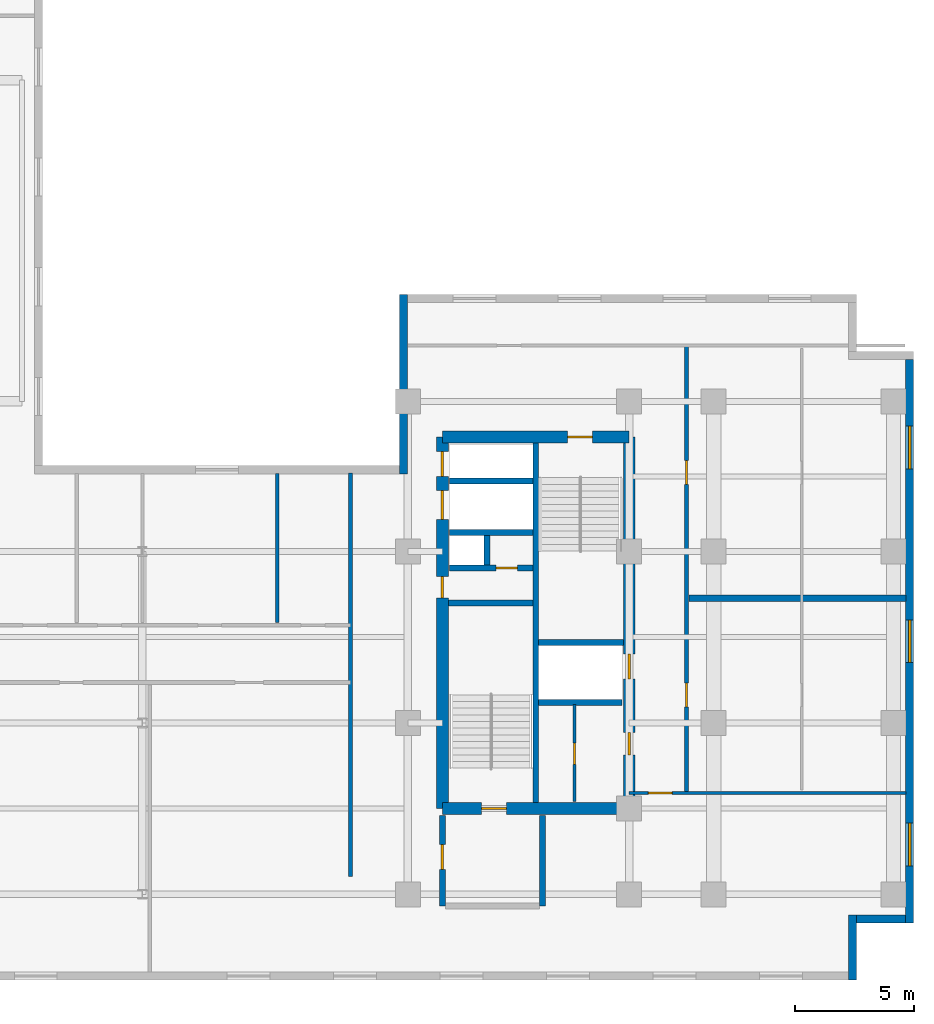
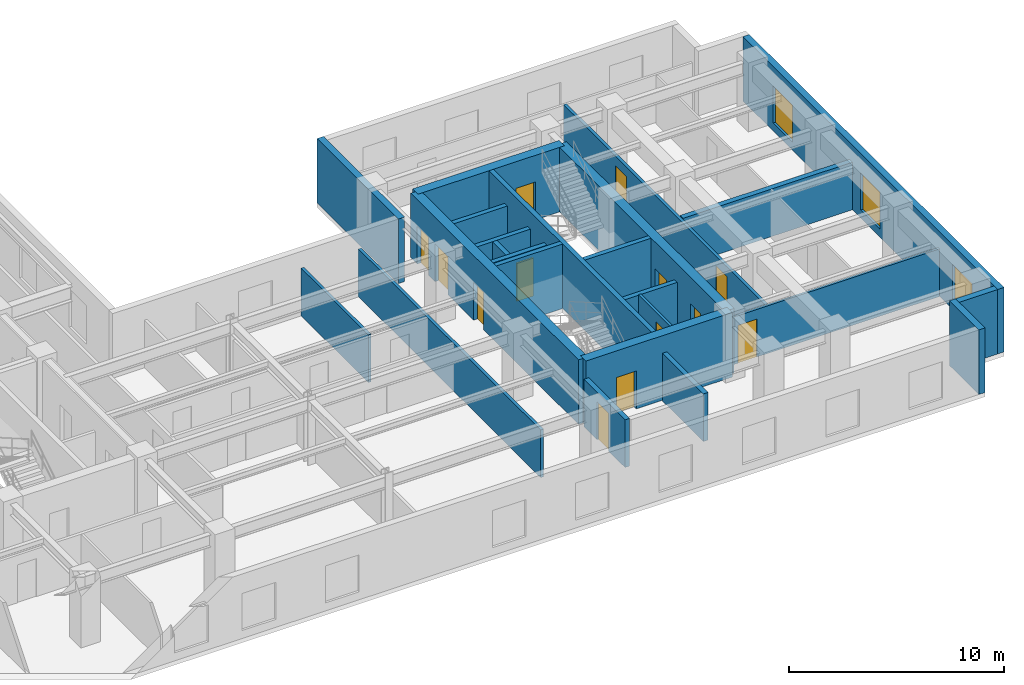
# One storey, part 5 of 10: 24 walls, 13 doors, 3 windows, 16 openings.
"""IFC4 building model written with IfcOpenShell, lengths in metres."""

from ifc_helpers import new_model, entity, si_unit, converted_unit, direction, frame, origin_with_axes, origin_2d_with_axis, place, context, subcontext, project, spatial, polyline, rectangle, outline, extrude, material, layer, layer_set, type_object, element, fill, save


model = new_model("IFC4")

# Units and contexts
model_context = context("Model", 3, precision=1e-05, world=origin_with_axes(), true_north=direction((0.0, 1.0)))
body_context = subcontext(model_context, "Body", "Model", "MODEL_VIEW")
ifc_project = project(units=[si_unit("LENGTHUNIT", "METRE"), si_unit("AREAUNIT", "SQUARE_METRE"), si_unit("VOLUMEUNIT", "CUBIC_METRE"), converted_unit("PLANEANGLEUNIT", "DEGREE", entity("IfcPlaneAngleMeasure", 0.017453292519943295), si_unit("PLANEANGLEUNIT", "RADIAN"), dimensions=[0, 0, 0, 0, 0, 0, 0]), si_unit("MASSUNIT", "GRAM", prefix="KILO"), si_unit("THERMODYNAMICTEMPERATUREUNIT", "KELVIN")], contexts=[model_context])

# Site, building, storey
site_placement = place(None, origin_with_axes())
site = spatial("IfcSite", under=ifc_project, at=site_placement, CompositionType="ELEMENT")
building_placement = place(site_placement, origin_with_axes())
building = spatial("IfcBuilding", under=site, at=building_placement, Name="Varnlund Millrace Tower", CompositionType="ELEMENT")
storey_placement = place(building_placement, frame((0.0, 0.0, 160.2), z_axis=(0.0, 0.0, 1.0), x_axis=(1.0, 0.0, 0.0)))
storey = spatial("IfcBuildingStorey", under=building, at=storey_placement, Name="L39", CompositionType="ELEMENT", Elevation=160.2)

# Wall, openings, doors
ifc_material_1 = material(Name="Concrete C70/85", Category="concrete")
ifc_layer_1 = layer(ifc_material_1, 0.5, Name="Concrete C70/85")
ifc_layer_set_1 = layer_set([ifc_layer_1], Name="Concrete C70/85")
wall_type_1 = type_object("IfcWallType", Name="Type-CoreWall-Shear-500-C70", PredefinedType="SHEAR", material=ifc_layer_set_1)
wall_1_placement = place(storey_placement, frame((40.2, 7.2, 0.0), z_axis=(0.0, 0.0, 1.0), x_axis=(0.0, 1.0, 0.0)))
wall_1 = element("IfcWall", 1, at=wall_1_placement, inside=storey, type_object=wall_type_1, Name="Type-CoreWall-Shear-500-C70", PredefinedType="SHEAR", context=body_context, shape_type="SweptSolid", body=[
    extrude(outline(polyline([(0.0, -0.25), (15.6, -0.25), (15.6, 0.25), (0.0, 0.25), (0.0, -0.25)])), origin_with_axes(), (0.0, 0.0, 1.0), 3.66),
])
opening_1_placement = place(wall_1_placement, frame((14.475, 0.0, 0.0), z_axis=(0.0, 0.0, 1.0), x_axis=(1.0, 0.0, 0.0)))
opening_1 = element("IfcOpeningElement", 2, at=opening_1_placement, cuts=wall_1, Name="Opening L39:LD-ELV-M4", PredefinedType="OPENING", context=body_context, shape_type="SweptSolid", body=[
    extrude(rectangle(XDim=1.05, YDim=0.52, at=origin_2d_with_axis()), origin_with_axes(), (0.0, 0.0, 1.0), 2.15),
])
opening_2_placement = place(wall_1_placement, frame((12.75, 0.0, 0.0), z_axis=(0.0, 0.0, 1.0), x_axis=(1.0, 0.0, 0.0)))
opening_2 = element("IfcOpeningElement", 3, at=opening_2_placement, cuts=wall_1, Name="Opening L39:LD-SRV2", PredefinedType="OPENING", context=body_context, shape_type="SweptSolid", body=[
    extrude(rectangle(XDim=1.2, YDim=0.52, at=origin_2d_with_axis()), origin_with_axes(), (0.0, 0.0, 1.0), 2.15),
])
opening_3_placement = place(wall_1_placement, frame((9.3, 0.0, 0.0), z_axis=(0.0, 0.0, 1.0), x_axis=(1.0, 0.0, 0.0)))
opening_3 = element("IfcOpeningElement", 4, at=opening_3_placement, cuts=wall_1, Name="Opening L39:DR-CB-JAN", PredefinedType="OPENING", context=body_context, shape_type="SweptSolid", body=[
    extrude(rectangle(XDim=0.9, YDim=0.52, at=origin_2d_with_axis()), origin_with_axes(), (0.0, 0.0, 1.0), 2.15),
])
ifc_material_2 = material(Name="Fire-rated hollow steel service closet door", Category="steel")
door_type_1 = type_object("IfcDoorType", Name="Type-FireDoor-Closet-900X2150", OperationType="NOTDEFINED", PredefinedType="DOOR", material=ifc_material_2)
door_1_placement = place(wall_1_placement, frame((9.3, 0.0, 0.0), z_axis=(0.0, 0.0, 1.0), x_axis=(1.0, 0.0, 0.0)))
door_1 = element("IfcDoor", 5, at=door_1_placement, inside=storey, type_object=door_type_1, Name="Type-FireDoor-Closet-900X2150", OperationType="SINGLE_SWING_RIGHT", OverallHeight=2.15, OverallWidth=0.9, PredefinedType="DOOR", context=body_context, shape_type="SweptSolid", body=[
    extrude(rectangle(XDim=0.9, YDim=0.09, at=origin_2d_with_axis()), origin_with_axes(), (0.0, 0.0, 1.0), 2.15),
])
fill(opening_3, door_1)
ifc_material_3 = material(Name="Architectural bronze sliding landing door")
door_type_2 = type_object("IfcDoorType", Name="Type-LiftLandingDoor-Compact-1050X2150", OperationType="NOTDEFINED", PredefinedType="DOOR", material=ifc_material_3)
door_2_placement = place(wall_1_placement, frame((14.475, 0.0, 0.0), z_axis=(0.0, 0.0, 1.0), x_axis=(1.0, 0.0, 0.0)))
door_2 = element("IfcDoor", 6, at=door_2_placement, inside=storey, type_object=door_type_2, Name="Type-LiftLandingDoor-Compact-1050X2150", OperationType="SLIDING_TO_RIGHT", OverallHeight=2.15, OverallWidth=1.05, PredefinedType="DOOR", context=body_context, shape_type="SweptSolid", body=[
    extrude(rectangle(XDim=1.05, YDim=0.09, at=origin_2d_with_axis()), origin_with_axes(), (0.0, 0.0, 1.0), 2.15),
])
fill(opening_1, door_2)
ifc_material_4 = material(Name="Heavy-duty freight sliding landing door")
door_type_3 = type_object("IfcDoorType", Name="Type-LiftLandingDoor-Service-1200X2150", OperationType="NOTDEFINED", PredefinedType="DOOR", material=ifc_material_4)
door_3_placement = place(wall_1_placement, frame((12.75, 0.0, 0.0), z_axis=(0.0, 0.0, 1.0), x_axis=(1.0, 0.0, 0.0)))
door_3 = element("IfcDoor", 7, at=door_3_placement, inside=storey, type_object=door_type_3, Name="Type-LiftLandingDoor-Service-1200X2150", OperationType="DOUBLE_DOOR_SLIDING", OverallHeight=2.15, OverallWidth=1.2, PredefinedType="DOOR", context=body_context, shape_type="SweptSolid", body=[
    extrude(rectangle(XDim=1.2, YDim=0.09, at=origin_2d_with_axis()), origin_with_axes(), (0.0, 0.0, 1.0), 2.15),
])
fill(opening_2, door_3)

# Wall, opening, door
wall_2_placement = place(storey_placement, frame((40.2, 7.2, 0.0), z_axis=(0.0, 0.0, 1.0), x_axis=(1.0, 0.0, 0.0)))
wall_2 = element("IfcWall", 8, at=wall_2_placement, inside=storey, type_object=wall_type_1, Name="Type-CoreWall-Shear-500-C70", PredefinedType="SHEAR", context=body_context, shape_type="SweptSolid", body=[
    extrude(outline(polyline([(0.0, -0.25), (7.85, -0.25), (7.85, 0.25), (0.0, 0.25), (0.0, -0.25)])), origin_with_axes(), (0.0, 0.0, 1.0), 3.66),
])
opening_4_placement = place(wall_2_placement, frame((2.175, 0.0, 0.0), z_axis=(0.0, 0.0, 1.0), x_axis=(1.0, 0.0, 0.0)))
opening_4 = element("IfcOpeningElement", 9, at=opening_4_placement, cuts=wall_2, Name="Opening L39:DR-STB1", PredefinedType="OPENING", context=body_context, shape_type="SweptSolid", body=[
    extrude(rectangle(XDim=1.05, YDim=0.52, at=origin_2d_with_axis()), origin_with_axes(), (0.0, 0.0, 1.0), 2.15),
])
ifc_material_5 = material(Name="Fire-rated hollow steel door", Category="steel")
door_type_4 = type_object("IfcDoorType", Name="Type-FireDoor-Stair-1050X2150", OperationType="NOTDEFINED", PredefinedType="DOOR", material=ifc_material_5)
door_4_placement = place(wall_2_placement, frame((2.175, 0.0, 0.0), z_axis=(0.0, 0.0, 1.0), x_axis=(1.0, 0.0, 0.0)))
door_4 = element("IfcDoor", 10, at=door_4_placement, inside=storey, type_object=door_type_4, Name="Type-FireDoor-Stair-1050X2150", OperationType="SINGLE_SWING_LEFT", OverallHeight=2.15, OverallWidth=1.05, PredefinedType="DOOR", context=body_context, shape_type="SweptSolid", body=[
    extrude(rectangle(XDim=1.05, YDim=0.09, at=origin_2d_with_axis()), origin_with_axes(), (0.0, 0.0, 1.0), 2.15),
])
fill(opening_4, door_4)

wall_3_placement = place(storey_placement, frame((40.2, 22.8, 0.0), z_axis=(0.0, 0.0, 1.0), x_axis=(1.0, 0.0, 0.0)))
wall_3 = element("IfcWall", 11, at=wall_3_placement, inside=storey, type_object=wall_type_1, Name="Type-CoreWall-Shear-500-C70", PredefinedType="SHEAR", context=body_context, shape_type="SweptSolid", body=[
    extrude(outline(polyline([(0.0, -0.25), (7.85, -0.25), (7.85, 0.25), (0.0, 0.25), (0.0, -0.25)])), origin_with_axes(), (0.0, 0.0, 1.0), 3.66),
])
opening_5_placement = place(wall_3_placement, frame((5.775, 0.0, 0.0), z_axis=(0.0, 0.0, 1.0), x_axis=(1.0, 0.0, 0.0)))
opening_5 = element("IfcOpeningElement", 12, at=opening_5_placement, cuts=wall_3, Name="Opening L39:DR-STB2", PredefinedType="OPENING", context=body_context, shape_type="SweptSolid", body=[
    extrude(rectangle(XDim=1.05, YDim=0.52, at=origin_2d_with_axis()), origin_with_axes(), (0.0, 0.0, 1.0), 2.15),
])
door_5_placement = place(wall_3_placement, frame((5.775, 0.0, 0.0), z_axis=(0.0, 0.0, 1.0), x_axis=(1.0, 0.0, 0.0)))
door_5 = element("IfcDoor", 13, at=door_5_placement, inside=storey, type_object=door_type_4, Name="Type-FireDoor-Stair-1050X2150", OperationType="SINGLE_SWING_RIGHT", OverallHeight=2.15, OverallWidth=1.05, PredefinedType="DOOR", context=body_context, shape_type="SweptSolid", body=[
    extrude(rectangle(XDim=1.05, YDim=0.09, at=origin_2d_with_axis()), origin_with_axes(), (0.0, 0.0, 1.0), 2.15),
])
fill(opening_5, door_5)

# Wall, openings, doors
wall_4_placement = place(storey_placement, frame((48.05, 7.2, 0.0), z_axis=(0.0, 0.0, 1.0), x_axis=(0.0, 1.0, 0.0)))
wall_4 = element("IfcWall", 14, at=wall_4_placement, inside=storey, type_object=wall_type_1, Name="Type-CoreWall-Shear-500-C70", PredefinedType="SHEAR", context=body_context, shape_type="SweptSolid", body=[
    extrude(outline(polyline([(0.0, -0.25), (15.6, -0.25), (15.6, 0.25), (0.0, 0.25), (0.0, -0.25)])), origin_with_axes(), (0.0, 0.0, 1.0), 3.66),
])
opening_6_placement = place(wall_4_placement, frame((5.975, 0.0, 0.0), z_axis=(0.0, 0.0, 1.0), x_axis=(1.0, 0.0, 0.0)))
opening_6 = element("IfcOpeningElement", 15, at=opening_6_placement, cuts=wall_4, Name="Opening L39:LD-ELV-M3", PredefinedType="OPENING", context=body_context, shape_type="SweptSolid", body=[
    extrude(rectangle(XDim=1.05, YDim=0.52, at=origin_2d_with_axis()), origin_with_axes(), (0.0, 0.0, 1.0), 2.15),
])
opening_7_placement = place(wall_4_placement, frame((2.725, 0.0, 0.0), z_axis=(0.0, 0.0, 1.0), x_axis=(1.0, 0.0, 0.0)))
opening_7 = element("IfcOpeningElement", 16, at=opening_7_placement, cuts=wall_4, Name="Opening L39:DR-CB-WC2", PredefinedType="OPENING", context=body_context, shape_type="SweptSolid", body=[
    extrude(rectangle(XDim=0.95, YDim=0.52, at=origin_2d_with_axis()), origin_with_axes(), (0.0, 0.0, 1.0), 2.15),
])
ifc_material_6 = material(Name="Fire-rated hollow steel core service door", Category="steel")
door_type_5 = type_object("IfcDoorType", Name="Type-FireDoor-Service-950X2150", OperationType="NOTDEFINED", PredefinedType="DOOR", material=ifc_material_6)
door_6_placement = place(wall_4_placement, frame((2.725, 0.0, 0.0), z_axis=(0.0, 0.0, 1.0), x_axis=(1.0, 0.0, 0.0)))
door_6 = element("IfcDoor", 17, at=door_6_placement, inside=storey, type_object=door_type_5, Name="Type-FireDoor-Service-950X2150", OperationType="SINGLE_SWING_LEFT", OverallHeight=2.15, OverallWidth=0.95, PredefinedType="DOOR", context=body_context, shape_type="SweptSolid", body=[
    extrude(rectangle(XDim=0.95, YDim=0.09, at=origin_2d_with_axis()), origin_with_axes(), (0.0, 0.0, 1.0), 2.15),
])
fill(opening_7, door_6)
door_7_placement = place(wall_4_placement, frame((5.975, 0.0, 0.0), z_axis=(0.0, 0.0, 1.0), x_axis=(1.0, 0.0, 0.0)))
door_7 = element("IfcDoor", 18, at=door_7_placement, inside=storey, type_object=door_type_2, Name="Type-LiftLandingDoor-Compact-1050X2150", OperationType="SLIDING_TO_LEFT", OverallHeight=2.15, OverallWidth=1.05, PredefinedType="DOOR", context=body_context, shape_type="SweptSolid", body=[
    extrude(rectangle(XDim=1.05, YDim=0.09, at=origin_2d_with_axis()), origin_with_axes(), (0.0, 0.0, 1.0), 2.15),
])
fill(opening_6, door_7)

# Wall
ifc_material_7 = material(Name="Precast concrete C50/60", Category="concrete")
ifc_layer_2 = layer(ifc_material_7, 0.34, Name="Precast concrete C50/60")
ifc_layer_set_2 = layer_set([ifc_layer_2], Name="Precast concrete C50/60")
wall_type_2 = type_object("IfcWallType", Name="Type-ExtWall-Precast-Upper-340", PredefinedType="SOLIDWALL", material=ifc_layer_set_2)
wall_5_placement = place(storey_placement, frame((38.57, 21.26, 0.0), z_axis=(0.0, 0.0, 1.0), x_axis=(0.0, 1.0, 0.0)))
element("IfcWall", 19, at=wall_5_placement, inside=storey, type_object=wall_type_2, Name="Type-ExtWall-Precast-Upper-340", PredefinedType="SOLIDWALL", context=body_context, shape_type="SweptSolid", body=[
    extrude(outline(polyline([(0.0, -0.17), (7.54, -0.17), (7.54, 0.17), (0.0, 0.17), (0.0, -0.17)])), origin_with_axes(), (0.0, 0.0, 1.0), 3.66),
])

# Wall, openings, windows
wall_6_placement = place(storey_placement, frame((59.83, 26.06, 0.0), z_axis=(0.0, 0.0, 1.0), x_axis=(0.0, -1.0, 0.0)))
wall_6 = element("IfcWall", 20, at=wall_6_placement, inside=storey, type_object=wall_type_2, Name="Type-ExtWall-Precast-Upper-340", PredefinedType="SOLIDWALL", context=body_context, shape_type="SweptSolid", body=[
    extrude(outline(polyline([(0.0, -0.17), (23.66, -0.17), (23.66, 0.17), (0.0, 0.17), (0.0, -0.17)])), origin_with_axes(), (0.0, 0.0, 1.0), 3.66),
])
opening_8_placement = place(wall_6_placement, frame((3.696, 0.0, 0.45), z_axis=(0.0, 0.0, 1.0), x_axis=(1.0, 0.0, 0.0)))
opening_8 = element("IfcOpeningElement", 21, at=opening_8_placement, cuts=wall_6, Name="Opening L39:WN-05", PredefinedType="OPENING", context=body_context, shape_type="SweptSolid", body=[
    extrude(rectangle(XDim=1.8, YDim=0.36, at=origin_2d_with_axis()), origin_with_axes(), (0.0, 0.0, 1.0), 2.1),
])
opening_9_placement = place(wall_6_placement, frame((11.83, 0.0, 0.45), z_axis=(0.0, 0.0, 1.0), x_axis=(1.0, 0.0, 0.0)))
opening_9 = element("IfcOpeningElement", 22, at=opening_9_placement, cuts=wall_6, Name="Opening L39:WN-06", PredefinedType="OPENING", context=body_context, shape_type="SweptSolid", body=[
    extrude(rectangle(XDim=1.8, YDim=0.36, at=origin_2d_with_axis()), origin_with_axes(), (0.0, 0.0, 1.0), 2.1),
])
opening_10_placement = place(wall_6_placement, frame((20.364, 0.0, 0.45), z_axis=(0.0, 0.0, 1.0), x_axis=(1.0, 0.0, 0.0)))
opening_10 = element("IfcOpeningElement", 23, at=opening_10_placement, cuts=wall_6, Name="Opening L39:WN-07", PredefinedType="OPENING", context=body_context, shape_type="SweptSolid", body=[
    extrude(rectangle(XDim=1.8, YDim=0.36, at=origin_2d_with_axis()), origin_with_axes(), (0.0, 0.0, 1.0), 2.1),
])
ifc_material_8 = material(Name="Argon low-e triple glazing in thermally broken bronze frame", Category="glass")
window_type = type_object("IfcWindowType", Name="Type-Window-Punched-1800X2100", PartitioningType="SINGLE_PANEL", PredefinedType="WINDOW", material=ifc_material_8)
window_1_placement = place(wall_6_placement, frame((3.696, 0.0, 0.45), z_axis=(0.0, 0.0, 1.0), x_axis=(1.0, 0.0, 0.0)))
window_1 = element("IfcWindow", 24, at=window_1_placement, inside=storey, type_object=window_type, Name="Type-Window-Punched-1800X2100", OverallHeight=2.1, OverallWidth=1.8, PredefinedType="WINDOW", context=body_context, shape_type="SweptSolid", body=[
    extrude(rectangle(XDim=1.8, YDim=0.09, at=origin_2d_with_axis()), origin_with_axes(), (0.0, 0.0, 1.0), 2.1),
])
fill(opening_8, window_1)
window_2_placement = place(wall_6_placement, frame((11.83, 0.0, 0.45), z_axis=(0.0, 0.0, 1.0), x_axis=(1.0, 0.0, 0.0)))
window_2 = element("IfcWindow", 25, at=window_2_placement, inside=storey, type_object=window_type, Name="Type-Window-Punched-1800X2100", OverallHeight=2.1, OverallWidth=1.8, PredefinedType="WINDOW", context=body_context, shape_type="SweptSolid", body=[
    extrude(rectangle(XDim=1.8, YDim=0.09, at=origin_2d_with_axis()), origin_with_axes(), (0.0, 0.0, 1.0), 2.1),
])
fill(opening_9, window_2)
window_3_placement = place(wall_6_placement, frame((20.364, 0.0, 0.45), z_axis=(0.0, 0.0, 1.0), x_axis=(1.0, 0.0, 0.0)))
window_3 = element("IfcWindow", 26, at=window_3_placement, inside=storey, type_object=window_type, Name="Type-Window-Punched-1800X2100", OverallHeight=2.1, OverallWidth=1.8, PredefinedType="WINDOW", context=body_context, shape_type="SweptSolid", body=[
    extrude(rectangle(XDim=1.8, YDim=0.09, at=origin_2d_with_axis()), origin_with_axes(), (0.0, 0.0, 1.0), 2.1),
])
fill(opening_10, window_3)

# Walls
wall_7_placement = place(storey_placement, frame((59.66, 2.57, 0.0), z_axis=(0.0, 0.0, 1.0), x_axis=(-1.0, 0.0, 0.0)))
element("IfcWall", 27, at=wall_7_placement, inside=storey, type_object=wall_type_2, Name="Type-ExtWall-Precast-Upper-340", PredefinedType="SOLIDWALL", context=body_context, shape_type="SweptSolid", body=[
    extrude(outline(polyline([(0.0, -0.17), (2.06, -0.17), (2.06, 0.17), (0.0, 0.17), (0.0, -0.17)])), origin_with_axes(), (0.0, 0.0, 1.0), 3.66),
])
wall_8_placement = place(storey_placement, frame((57.43, 2.74, 0.0), z_axis=(0.0, 0.0, 1.0), x_axis=(0.0, -1.0, 0.0)))
element("IfcWall", 28, at=wall_8_placement, inside=storey, type_object=wall_type_2, Name="Type-ExtWall-Precast-Upper-340", PredefinedType="SOLIDWALL", context=body_context, shape_type="SweptSolid", body=[
    extrude(outline(polyline([(0.0, -0.17), (2.74, -0.17), (2.74, 0.17), (0.0, 0.17), (0.0, -0.17)])), origin_with_axes(), (0.0, 0.0, 1.0), 3.66),
])
ifc_material_9 = material(Name="Double-stud STC-60 conference acoustic partition", Category="gypsum")
ifc_layer_3 = layer(ifc_material_9, 0.28, Name="Double-stud STC-60 conference acoustic partition")
ifc_layer_set_3 = layer_set([ifc_layer_3], Name="Double-stud STC-60 conference acoustic partition")
wall_type_3 = type_object("IfcWallType", Name="Type-Partition-Acoustic-280", PredefinedType="PARTITIONING", material=ifc_layer_set_3)
wall_9_placement = place(storey_placement, frame((50.57, 16.031, 0.0), z_axis=(0.0, 0.0, 1.0), x_axis=(1.0, 0.0, 0.0)))
element("IfcWall", 29, at=wall_9_placement, inside=storey, type_object=wall_type_3, Name="Type-Partition-Acoustic-280", PredefinedType="PARTITIONING", context=body_context, shape_type="SweptSolid", body=[
    extrude(outline(polyline([(0.0, -0.14), (9.095, -0.14), (9.095, 0.14), (0.0, 0.14), (0.0, -0.14)])), origin_with_axes(), (0.0, 0.0, 1.0), 2.7),
])
ifc_material_10 = material(Name="Fire-rated gypsum board on cold-formed steel framing", Category="steel")
ifc_layer_4 = layer(ifc_material_10, 0.16, Name="Fire-rated gypsum board on cold-formed steel framing")
ifc_layer_set_4 = layer_set([ifc_layer_4], Name="Fire-rated gypsum board on cold-formed steel framing")
wall_type_4 = type_object("IfcWallType", Name="Type-Partition-Corridor-160", PredefinedType="PARTITIONING", material=ifc_layer_set_4)
wall_10_placement = place(storey_placement, frame((36.35, 4.35, 0.0), z_axis=(0.0, 0.0, 1.0), x_axis=(0.0, 1.0, 0.0)))
element("IfcWall", 30, at=wall_10_placement, inside=storey, type_object=wall_type_4, Name="Type-Partition-Corridor-160", PredefinedType="PARTITIONING", context=body_context, shape_type="SweptSolid", body=[
    extrude(outline(polyline([(0.0, -0.08), (16.95, -0.08), (16.95, 0.08), (0.0, 0.08), (0.0, -0.08)])), origin_with_axes(), (0.0, 0.0, 1.0), 2.7),
])

# Wall, openings, doors
wall_11_placement = place(storey_placement, frame((50.45, 7.85, 0.0), z_axis=(0.0, 0.0, 1.0), x_axis=(0.0, 1.0, 0.0)))
wall_11 = element("IfcWall", 31, at=wall_11_placement, inside=storey, type_object=wall_type_4, Name="Type-Partition-Corridor-160", PredefinedType="PARTITIONING", context=body_context, shape_type="SweptSolid", body=[
    extrude(outline(polyline([(0.0, -0.08), (18.8, -0.08), (18.8, 0.08), (0.0, 0.08), (0.0, -0.08)])), origin_with_axes(), (0.0, 0.0, 1.0), 2.7),
])
opening_11_placement = place(wall_11_placement, frame((4.1205, 0.0, 0.0), z_axis=(0.0, 0.0, 1.0), x_axis=(1.0, 0.0, 0.0)))
opening_11 = element("IfcOpeningElement", 32, at=opening_11_placement, cuts=wall_11, Name="Opening L39:DR-WB-01", PredefinedType="OPENING", context=body_context, shape_type="SweptSolid", body=[
    extrude(rectangle(XDim=1.0, YDim=0.18, at=origin_2d_with_axis()), origin_with_axes(), (0.0, 0.0, 1.0), 2.15),
])
opening_12_placement = place(wall_11_placement, frame((13.4605, 0.0, 0.0), z_axis=(0.0, 0.0, 1.0), x_axis=(1.0, 0.0, 0.0)))
opening_12 = element("IfcOpeningElement", 33, at=opening_12_placement, cuts=wall_11, Name="Opening L39:DR-WB-02", PredefinedType="OPENING", context=body_context, shape_type="SweptSolid", body=[
    extrude(rectangle(XDim=1.0, YDim=0.18, at=origin_2d_with_axis()), origin_with_axes(), (0.0, 0.0, 1.0), 2.15),
])
ifc_material_11 = material(Name="Solid-core white oak and bronze frame door")
door_type_6 = type_object("IfcDoorType", Name="Type-IntDoor-Office-1000X2150", OperationType="NOTDEFINED", PredefinedType="DOOR", material=ifc_material_11)
door_8_placement = place(wall_11_placement, frame((4.1205, 0.0, 0.0), z_axis=(0.0, 0.0, 1.0), x_axis=(1.0, 0.0, 0.0)))
door_8 = element("IfcDoor", 34, at=door_8_placement, inside=storey, type_object=door_type_6, Name="Type-IntDoor-Office-1000X2150", OperationType="SINGLE_SWING_LEFT", OverallHeight=2.15, OverallWidth=1.0, PredefinedType="DOOR", context=body_context, shape_type="SweptSolid", body=[
    extrude(rectangle(XDim=1.0, YDim=0.09, at=origin_2d_with_axis()), origin_with_axes(), (0.0, 0.0, 1.0), 2.15),
])
fill(opening_11, door_8)
door_9_placement = place(wall_11_placement, frame((13.4605, 0.0, 0.0), z_axis=(0.0, 0.0, 1.0), x_axis=(1.0, 0.0, 0.0)))
door_9 = element("IfcDoor", 35, at=door_9_placement, inside=storey, type_object=door_type_6, Name="Type-IntDoor-Office-1000X2150", OperationType="SINGLE_SWING_RIGHT", OverallHeight=2.15, OverallWidth=1.0, PredefinedType="DOOR", context=body_context, shape_type="SweptSolid", body=[
    extrude(rectangle(XDim=1.0, YDim=0.09, at=origin_2d_with_axis()), origin_with_axes(), (0.0, 0.0, 1.0), 2.15),
])
fill(opening_12, door_9)

# Wall
ifc_material_12 = material(Name="Acoustic STC-50 gypsum board partition", Category="gypsum")
ifc_layer_5 = layer(ifc_material_12, 0.15, Name="Acoustic STC-50 gypsum board partition")
ifc_layer_set_5 = layer_set([ifc_layer_5], Name="Acoustic STC-50 gypsum board partition")
wall_type_5 = type_object("IfcWallType", Name="Type-Partition-Demising-150", PredefinedType="PARTITIONING", material=ifc_layer_set_5)
wall_12_placement = place(storey_placement, frame((33.263, 15.02, 0.0), z_axis=(0.0, 0.0, 1.0), x_axis=(0.0, 1.0, 0.0)))
element("IfcWall", 36, at=wall_12_placement, inside=storey, type_object=wall_type_5, Name="Type-Partition-Demising-150", PredefinedType="PARTITIONING", context=body_context, shape_type="SweptSolid", body=[
    extrude(outline(polyline([(0.0, -0.075), (6.245, -0.075), (6.245, 0.075), (0.0, 0.075), (0.0, -0.075)])), origin_with_axes(), (0.0, 0.0, 1.0), 2.7),
])

# Wall, opening, door
ifc_material_13 = material(Name="Gypsum board tenant partition", Category="gypsum")
ifc_layer_6 = layer(ifc_material_13, 0.125, Name="Gypsum board tenant partition")
ifc_layer_set_6 = layer_set([ifc_layer_6], Name="Gypsum board tenant partition")
wall_type_6 = type_object("IfcWallType", Name="Type-Partition-Tenant-125", PredefinedType="PARTITIONING", material=ifc_layer_set_6)
wall_13_placement = place(storey_placement, frame((59.665, 7.85, 0.0), z_axis=(0.0, 0.0, 1.0), x_axis=(-1.0, 0.0, 0.0)))
wall_13 = element("IfcWall", 37, at=wall_13_placement, inside=storey, type_object=wall_type_6, Name="Type-Partition-Tenant-125", PredefinedType="PARTITIONING", context=body_context, shape_type="SweptSolid", body=[
    extrude(outline(polyline([(0.0, -0.0625), (11.615, -0.0625), (11.615, 0.0625), (0.0, 0.0625), (0.0, -0.0625)])), origin_with_axes(), (0.0, 0.0, 1.0), 2.7),
])
opening_13_placement = place(wall_13_placement, frame((10.315, 0.0, 0.0), z_axis=(0.0, 0.0, 1.0), x_axis=(1.0, 0.0, 0.0)))
opening_13 = element("IfcOpeningElement", 38, at=opening_13_placement, cuts=wall_13, Name="Opening L39:DR-WBS-01", PredefinedType="OPENING", context=body_context, shape_type="SweptSolid", body=[
    extrude(rectangle(XDim=1.0, YDim=0.145, at=origin_2d_with_axis()), origin_with_axes(), (0.0, 0.0, 1.0), 2.15),
])
door_10_placement = place(wall_13_placement, frame((10.315, 0.0, 0.0), z_axis=(0.0, 0.0, 1.0), x_axis=(1.0, 0.0, 0.0)))
door_10 = element("IfcDoor", 39, at=door_10_placement, inside=storey, type_object=door_type_6, Name="Type-IntDoor-Office-1000X2150", OperationType="SINGLE_SWING_LEFT", OverallHeight=2.15, OverallWidth=1.0, PredefinedType="DOOR", context=body_context, shape_type="SweptSolid", body=[
    extrude(rectangle(XDim=1.0, YDim=0.075, at=origin_2d_with_axis()), origin_with_axes(), (0.0, 0.0, 1.0), 2.15),
])
fill(opening_13, door_10)

ifc_material_14 = material(Name="Moisture-resistant gypsum restroom partition", Category="gypsum")
ifc_layer_7 = layer(ifc_material_14, 0.14, Name="Moisture-resistant gypsum restroom partition")
ifc_layer_set_7 = layer_set([ifc_layer_7], Name="Moisture-resistant gypsum restroom partition")
wall_type_7 = type_object("IfcWallType", Name="Type-Partition-Wet-140", PredefinedType="PARTITIONING", material=ifc_layer_set_7)
wall_14_placement = place(storey_placement, frame((45.75, 7.5, 0.0), z_axis=(0.0, 0.0, 1.0), x_axis=(0.0, 1.0, 0.0)))
wall_14 = element("IfcWall", 40, at=wall_14_placement, inside=storey, type_object=wall_type_7, Name="Type-Partition-Wet-140", PredefinedType="PARTITIONING", context=body_context, shape_type="SweptSolid", body=[
    extrude(outline(polyline([(0.0, -0.07), (4.08, -0.07), (4.08, 0.07), (0.0, 0.07), (0.0, -0.07)])), origin_with_axes(), (0.0, 0.0, 1.0), 2.7),
])
opening_14_placement = place(wall_14_placement, frame((2.0, 0.0, 0.0), z_axis=(0.0, 0.0, 1.0), x_axis=(1.0, 0.0, 0.0)))
opening_14 = element("IfcOpeningElement", 41, at=opening_14_placement, cuts=wall_14, Name="Opening L39:DR-CB-WC1", PredefinedType="OPENING", context=body_context, shape_type="SweptSolid", body=[
    extrude(rectangle(XDim=0.9, YDim=0.16, at=origin_2d_with_axis()), origin_with_axes(), (0.0, 0.0, 1.0), 2.15),
])
ifc_material_15 = material(Name="Painted steel riser and closet door", Category="steel")
door_type_7 = type_object("IfcDoorType", Name="Type-IntDoor-Closet-900X2150", OperationType="NOTDEFINED", PredefinedType="DOOR", material=ifc_material_15)
door_11_placement = place(wall_14_placement, frame((2.0, 0.0, 0.0), z_axis=(0.0, 0.0, 1.0), x_axis=(1.0, 0.0, 0.0)))
door_11 = element("IfcDoor", 42, at=door_11_placement, inside=storey, type_object=door_type_7, Name="Type-IntDoor-Closet-900X2150", OperationType="SINGLE_SWING_LEFT", OverallHeight=2.15, OverallWidth=0.9, PredefinedType="DOOR", context=body_context, shape_type="SweptSolid", body=[
    extrude(rectangle(XDim=0.9, YDim=0.084, at=origin_2d_with_axis()), origin_with_axes(), (0.0, 0.0, 1.0), 2.15),
])
fill(opening_14, door_11)

ifc_material_16 = material(Name="Concrete C60/75", Category="concrete")
ifc_layer_8 = layer(ifc_material_16, 0.25, Name="Concrete C60/75")
ifc_layer_set_8 = layer_set([ifc_layer_8], Name="Concrete C60/75")
wall_type_8 = type_object("IfcWallType", Name="Type-ShaftWall-Fire-250", PredefinedType="SOLIDWALL", material=ifc_layer_set_8)
wall_15_placement = place(storey_placement, frame((40.5, 17.3, 0.0), z_axis=(0.0, 0.0, 1.0), x_axis=(1.0, 0.0, 0.0)))
wall_15 = element("IfcWall", 43, at=wall_15_placement, inside=storey, type_object=wall_type_8, Name="Type-ShaftWall-Fire-250", PredefinedType="SOLIDWALL", context=body_context, shape_type="SweptSolid", body=[
    extrude(outline(polyline([(0.0, -0.125), (3.5, -0.125), (3.5, 0.125), (0.0, 0.125), (0.0, -0.125)])), origin_with_axes(), (0.0, 0.0, 1.0), 2.7),
])
opening_15_placement = place(wall_15_placement, frame((2.4, 0.0, 0.0), z_axis=(0.0, 0.0, 1.0), x_axis=(1.0, 0.0, 0.0)))
opening_15 = element("IfcOpeningElement", 44, at=opening_15_placement, cuts=wall_15, Name="Opening L39:DR-CB-ELC", PredefinedType="OPENING", context=body_context, shape_type="SweptSolid", body=[
    extrude(rectangle(XDim=0.9, YDim=0.27, at=origin_2d_with_axis()), origin_with_axes(), (0.0, 0.0, 1.0), 2.15),
])
door_12_placement = place(wall_15_placement, frame((2.4, 0.0, 0.0), z_axis=(0.0, 0.0, 1.0), x_axis=(1.0, 0.0, 0.0)))
door_12 = element("IfcDoor", 45, at=door_12_placement, inside=storey, type_object=door_type_1, Name="Type-FireDoor-Closet-900X2150", OperationType="SINGLE_SWING_LEFT", OverallHeight=2.15, OverallWidth=0.9, PredefinedType="DOOR", context=body_context, shape_type="SweptSolid", body=[
    extrude(rectangle(XDim=0.9, YDim=0.09, at=origin_2d_with_axis()), origin_with_axes(), (0.0, 0.0, 1.0), 2.15),
])
fill(opening_15, door_12)

# Walls
wall_16_placement = place(storey_placement, frame((40.5, 18.8, 0.0), z_axis=(0.0, 0.0, 1.0), x_axis=(1.0, 0.0, 0.0)))
element("IfcWall", 46, at=wall_16_placement, inside=storey, type_object=wall_type_8, Name="Type-ShaftWall-Fire-250", PredefinedType="SOLIDWALL", context=body_context, shape_type="SweptSolid", body=[
    extrude(outline(polyline([(0.0, -0.125), (3.5, -0.125), (3.5, 0.125), (0.0, 0.125), (0.0, -0.125)])), origin_with_axes(), (0.0, 0.0, 1.0), 2.7),
])
wall_17_placement = place(storey_placement, frame((42.075, 17.43, 0.0), z_axis=(0.0, 0.0, 1.0), x_axis=(0.0, 1.0, 0.0)))
element("IfcWall", 47, at=wall_17_placement, inside=storey, type_object=wall_type_8, Name="Type-ShaftWall-Fire-250", PredefinedType="SOLIDWALL", context=body_context, shape_type="SweptSolid", body=[
    extrude(outline(polyline([(0.0, -0.125), (1.24, -0.125), (1.24, 0.125), (0.0, 0.125), (0.0, -0.125)])), origin_with_axes(), (0.0, 0.0, 1.0), 2.7),
])

# Wall, opening, door
wall_18_placement = place(storey_placement, frame((40.2, 3.1, 0.0), z_axis=(0.0, 0.0, 1.0), x_axis=(0.0, 1.0, 0.0)))
wall_18 = element("IfcWall", 48, at=wall_18_placement, inside=storey, type_object=wall_type_8, Name="Type-ShaftWall-Fire-250", PredefinedType="SOLIDWALL", context=body_context, shape_type="SweptSolid", body=[
    extrude(outline(polyline([(0.0, -0.125), (3.8, -0.125), (3.8, 0.125), (0.0, 0.125), (0.0, -0.125)])), origin_with_axes(), (0.0, 0.0, 1.0), 2.7),
])
opening_16_placement = place(wall_18_placement, frame((2.075, 0.0, 0.0), z_axis=(0.0, 0.0, 1.0), x_axis=(1.0, 0.0, 0.0)))
opening_16 = element("IfcOpeningElement", 49, at=opening_16_placement, cuts=wall_18, Name="Opening L39:DR-FFLOB-B", PredefinedType="OPENING", context=body_context, shape_type="SweptSolid", body=[
    extrude(rectangle(XDim=1.05, YDim=0.27, at=origin_2d_with_axis()), origin_with_axes(), (0.0, 0.0, 1.0), 2.15),
])
ifc_material_17 = material(Name="Smoke-barrier hollow steel fire door", Category="steel")
door_type_8 = type_object("IfcDoorType", Name="Type-FireDoor-Lobby-1050X2150", OperationType="NOTDEFINED", PredefinedType="DOOR", material=ifc_material_17)
door_13_placement = place(wall_18_placement, frame((2.075, 0.0, 0.0), z_axis=(0.0, 0.0, 1.0), x_axis=(1.0, 0.0, 0.0)))
door_13 = element("IfcDoor", 50, at=door_13_placement, inside=storey, type_object=door_type_8, Name="Type-FireDoor-Lobby-1050X2150", OperationType="SINGLE_SWING_LEFT", OverallHeight=2.15, OverallWidth=1.05, PredefinedType="DOOR", context=body_context, shape_type="SweptSolid", body=[
    extrude(rectangle(XDim=1.05, YDim=0.09, at=origin_2d_with_axis()), origin_with_axes(), (0.0, 0.0, 1.0), 2.15),
])
fill(opening_16, door_13)

# Walls
wall_19_placement = place(storey_placement, frame((44.4, 3.1, 0.0), z_axis=(0.0, 0.0, 1.0), x_axis=(0.0, 1.0, 0.0)))
element("IfcWall", 51, at=wall_19_placement, inside=storey, type_object=wall_type_8, Name="Type-ShaftWall-Fire-250", PredefinedType="SOLIDWALL", context=body_context, shape_type="SweptSolid", body=[
    extrude(outline(polyline([(0.0, -0.125), (3.8, -0.125), (3.8, 0.125), (0.0, 0.125), (0.0, -0.125)])), origin_with_axes(), (0.0, 0.0, 1.0), 2.7),
])
for number, where, z_axis, x_axis, name in (
    (52, (40.5, 20.96, 0.0), (0.0, 0.0, 1.0), (1.0, 0.0, 0.0), "Type-ShaftWall-Fire-250"),
    (53, (44.25, 11.66, 0.0), (0.0, 0.0, 1.0), (1.0, 0.0, 0.0), "Type-ShaftWall-Fire-250"),
):
    element("IfcWall", number, at=place(storey_placement, frame(where, z_axis=z_axis, x_axis=x_axis)), inside=storey, type_object=wall_type_8, Name=name, PredefinedType="SOLIDWALL", context=body_context, shape_type="SweptSolid", body=[
        extrude(outline(polyline([(0.0, -0.125), (3.5, -0.125), (3.5, 0.125), (0.0, 0.125), (0.0, -0.125)])), origin_with_axes(), (0.0, 0.0, 1.0), 2.7),
    ])
wall_type_9 = type_object("IfcWallType", Name="Type-StairWall-Shear-250", PredefinedType="SHEAR", material=ifc_layer_set_8)
wall_20_placement = place(storey_placement, frame((44.125, 7.45, 0.0), z_axis=(0.0, 0.0, 1.0), x_axis=(0.0, 1.0, 0.0)))
element("IfcWall", 54, at=wall_20_placement, inside=storey, type_object=wall_type_9, Name="Type-StairWall-Shear-250", PredefinedType="SHEAR", context=body_context, shape_type="SweptSolid", body=[
    extrude(outline(polyline([(0.0, -0.125), (15.1, -0.125), (15.1, 0.125), (0.0, 0.125), (0.0, -0.125)])), origin_with_axes(), (0.0, 0.0, 1.0), 3.66),
])
for number, where, z_axis, x_axis, name in (
    (55, (40.45, 15.825, 0.0), (0.0, 0.0, 1.0), (1.0, 0.0, 0.0), "Type-StairWall-Shear-250"),
    (56, (44.25, 14.175, 0.0), (0.0, 0.0, 1.0), (1.0, 0.0, 0.0), "Type-StairWall-Shear-250"),
):
    element("IfcWall", number, at=place(storey_placement, frame(where, z_axis=z_axis, x_axis=x_axis)), inside=storey, type_object=wall_type_9, Name=name, PredefinedType="SHEAR", context=body_context, shape_type="SweptSolid", body=[
        extrude(outline(polyline([(0.0, -0.125), (3.55, -0.125), (3.55, 0.125), (0.0, 0.125), (0.0, -0.125)])), origin_with_axes(), (0.0, 0.0, 1.0), 3.66),
    ])

save(model, "model.ifc")
